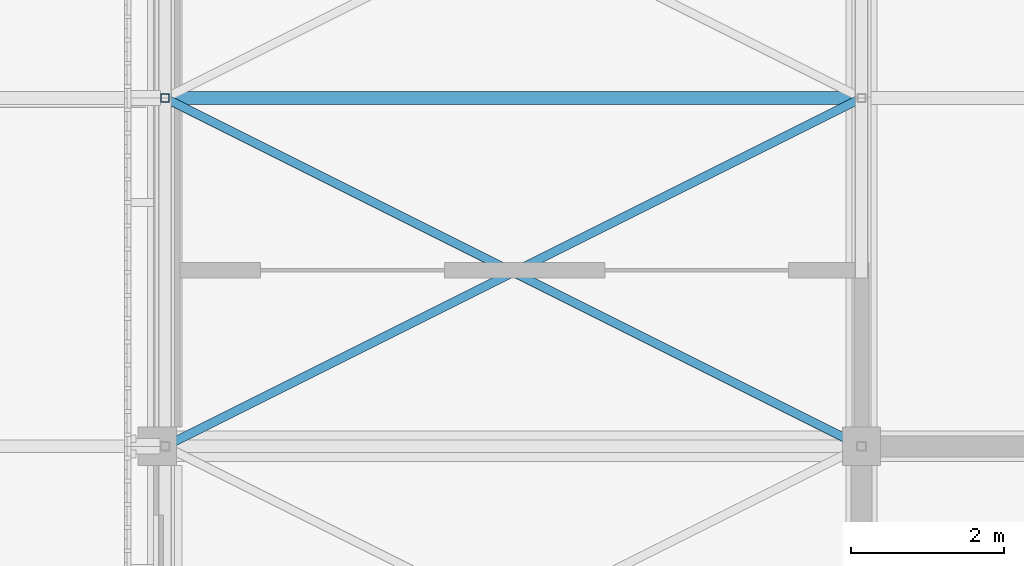
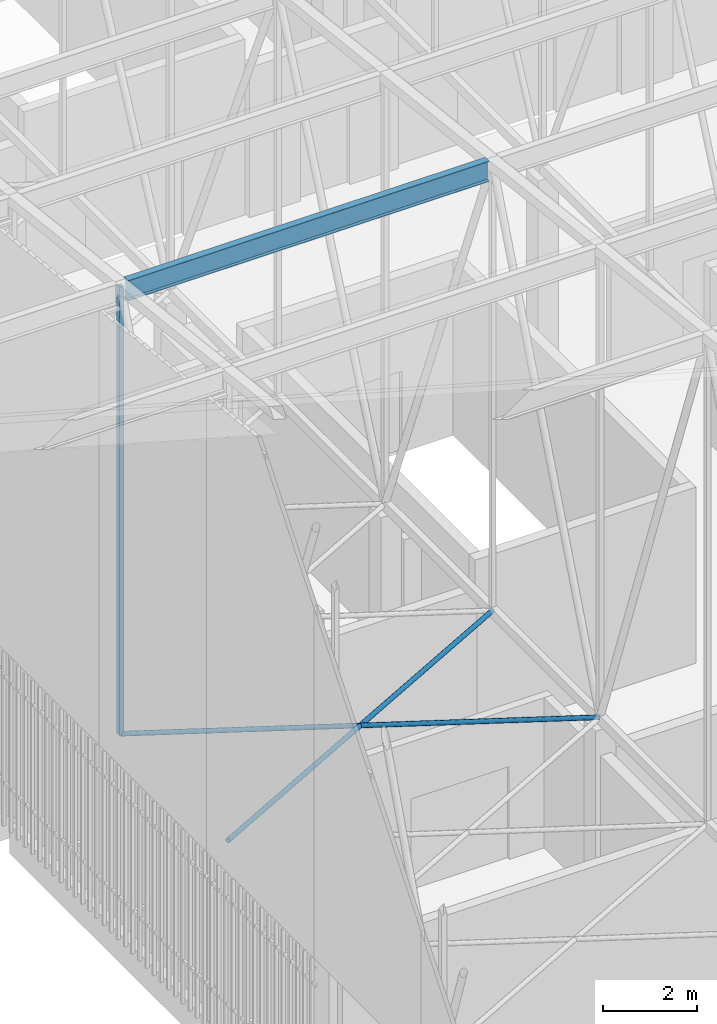
# One storey, part 180 of 500: 4 members.
"""IFC4 building model written with IfcOpenShell, lengths in metres."""

from ifc_helpers import new_model, si_unit, direction, frame, origin, origin_2d, place, context, subcontext, project, spatial, hollow_rectangle, hollow_circle, i_section, extrude, material, material_profile, profile_set, type_object, element, save


model = new_model("IFC4")

# Units and contexts
model_context = context("Model", 3, precision=1e-05, world=origin(), true_north=direction((0.0, 1.0)))
body_context = subcontext(model_context, "Body", "Model", "MODEL_VIEW")
ifc_project = project(units=[si_unit("LENGTHUNIT", "METRE"), si_unit("AREAUNIT", "SQUARE_METRE"), si_unit("VOLUMEUNIT", "CUBIC_METRE"), si_unit("PLANEANGLEUNIT", "RADIAN"), si_unit("MASSUNIT", "GRAM", prefix="KILO")], contexts=[model_context])

# Site, building, storey
site_placement = place(None, origin())
site = spatial("IfcSite", under=ifc_project, at=site_placement, CompositionType="ELEMENT")
building_placement = place(site_placement, origin())
building = spatial("IfcBuilding", under=site, at=building_placement, Name="Shirokan Park Arena", CompositionType="ELEMENT")
storey_placement = place(building_placement, frame((0.0, 0.0, 29.1201171875)))
storey = spatial("IfcBuildingStorey", under=building, at=storey_placement, Name="L06", CompositionType="ELEMENT", Elevation=29.1201171875)

# Members
ifc_material_1 = material(Name="Steel ASTM A500 Grade C", Category="steel")
ifc_material_profile_1 = material_profile(ifc_material_1, hollow_circle(Radius=0.056884765625, WallThickness=0.006103515625, at=origin_2d()), Name="HSS114.3X6")
ifc_profile_set_1 = profile_set([ifc_material_profile_1], Name="Steel ASTM A500 Grade C")
member_type_1 = type_object("IfcMemberType", Name="Plan bracing HSS114.3X6", PredefinedType="BRACE", material=ifc_profile_set_1)
for number, where, z_axis, x_axis, name in (
    (1, (0.0, 72.800048828125, 4.677001953125), (0.894427191, 0.4472135955, 0.0), (-0.4472135955, 0.894427191, 0.0), "Plan bracing bay 1 panel 19 A"),
    (2, (9.10009765625, 72.800048828125, 4.677001953125), (-0.894427191, 0.4472135955, 0.0), (-0.4472135955, -0.894427191, 0.0), "Plan bracing bay 1 panel 19 B"),
):
    element("IfcMember", number, at=place(storey_placement, frame(where, z_axis=z_axis, x_axis=x_axis)), inside=storey, type_object=member_type_1, Name=name, PredefinedType="BRACE", context=body_context, shape_type="SweptSolid", body=[
        extrude(hollow_circle(Radius=0.056884765625, WallThickness=0.006103515625, at=origin_2d()), origin(), (0.0, 0.0, 1.0), 10.17431640625),
    ])
ifc_material_2 = material(Name="Steel ASTM A992", Category="steel")
ifc_material_profile_2 = material_profile(ifc_material_2, i_section(OverallWidth=0.166015625, OverallDepth=0.528076171875, WebThickness=0.009765625, FlangeThickness=0.013671875, at=origin_2d()), Name="W530X74")
ifc_profile_set_2 = profile_set([ifc_material_profile_2], Name="Steel ASTM A992")
member_type_2 = type_object("IfcMemberType", Name="Purlin W530X74", PredefinedType="PURLIN", material=ifc_profile_set_2)
member_1_placement = place(storey_placement, frame((0.126953125, 77.35009765625, 16.1259765625), z_axis=(1.0, 0.0, 0.0), x_axis=(0.0, 1.0, 0.0)))
element("IfcMember", 3, at=member_1_placement, inside=storey, type_object=member_type_2, Name="Purlin 20 bay 1", PredefinedType="PURLIN", context=body_context, shape_type="SweptSolid", body=[
    extrude(i_section(OverallWidth=0.166015625, OverallDepth=0.528076171875, WebThickness=0.009765625, FlangeThickness=0.013671875, at=origin_2d()), origin(), (0.0, 0.0, 1.0), 8.845947265625),
])
ifc_material_profile_3 = material_profile(ifc_material_1, hollow_rectangle(XDim=0.114013671875, YDim=0.114013671875, WallThickness=0.00634765625, at=origin_2d()), Name="HSS114.3X114.3X6.4")
ifc_profile_set_3 = profile_set([ifc_material_profile_3], Name="Steel ASTM A500 Grade C")
member_type_3 = type_object("IfcMemberType", Name="Truss post HSS114.3X114.3X6.4", PredefinedType="POST", material=ifc_profile_set_3)
member_2_placement = place(storey_placement, frame((0.0, 77.35009765625, 4.677001953125), z_axis=(0.0, 0.0, 1.0), x_axis=(1.0, 0.0, 0.0)))
element("IfcMember", 4, at=member_2_placement, inside=storey, type_object=member_type_3, Name="Truss T01 post 20", PredefinedType="POST", context=body_context, shape_type="SweptSolid", body=[
    extrude(hollow_rectangle(XDim=0.114013671875, YDim=0.114013671875, WallThickness=0.00634765625, at=origin_2d()), origin(), (0.0, 0.0, 1.0), 11.5859375),
])

save(model, "model.ifc")
